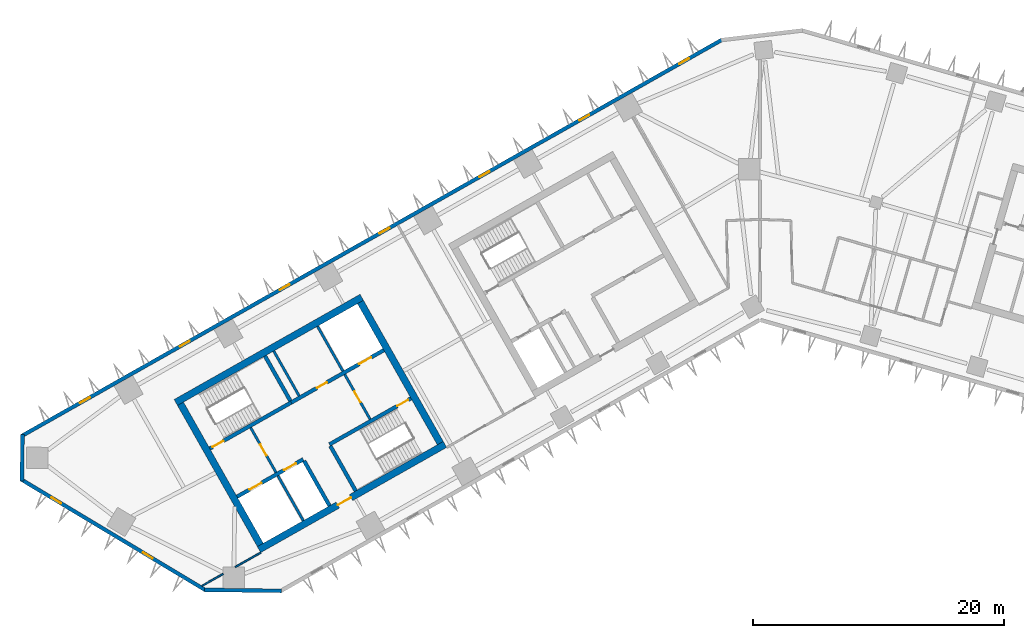
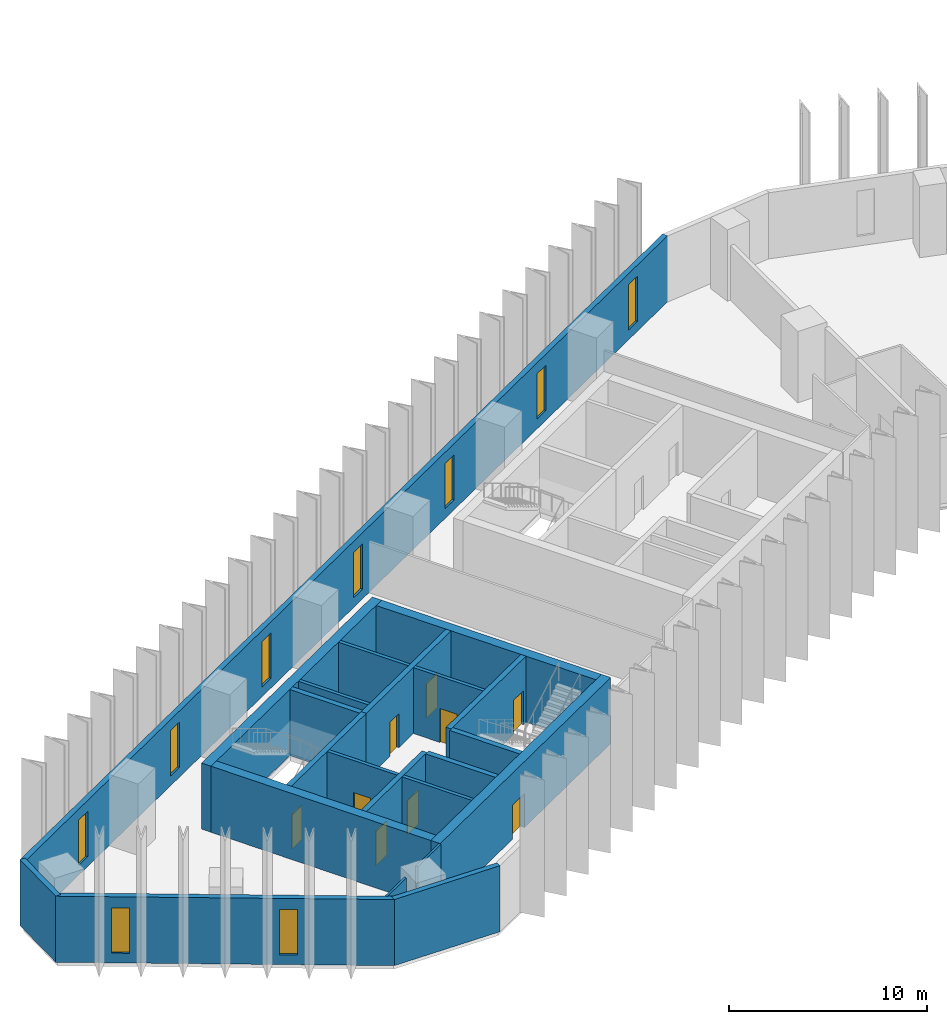
# One storey, part 3 of 11: 22 walls, 9 doors, 9 windows, 18 openings.
"""IFC4 building model written with IfcOpenShell, lengths in metres."""

from ifc_helpers import new_model, si_unit, direction, frame, frame_2d, origin, place, context, subcontext, project, spatial, rectangle, extrude, material, layer, layer_set, type_object, element, fill, save


model = new_model("IFC4")

# Units and contexts
model_context = context("Model", 3, precision=1e-05, world=origin(), true_north=direction((0.0, 1.0)))
body_context = subcontext(model_context, "Body", "Model", "MODEL_VIEW")
ifc_project = project(units=[si_unit("LENGTHUNIT", "METRE"), si_unit("AREAUNIT", "SQUARE_METRE"), si_unit("VOLUMEUNIT", "CUBIC_METRE"), si_unit("PLANEANGLEUNIT", "RADIAN"), si_unit("MASSUNIT", "GRAM", prefix="KILO")], contexts=[model_context])

# Site, building, storey
site_placement = place(None, origin())
site = spatial("IfcSite", under=ifc_project, at=site_placement, CompositionType="ELEMENT")
building_placement = place(site_placement, origin())
building = spatial("IfcBuilding", under=site, at=building_placement, Name="Binnacle Exchange Tower", CompositionType="ELEMENT")
storey_placement = place(building_placement, frame((0.0, 0.0, 97.10009765625)))
storey = spatial("IfcBuildingStorey", under=building, at=storey_placement, Name="L19", CompositionType="ELEMENT", Elevation=97.10009765625)

# Wall, openings, doors
ifc_material_1 = material(Name="Concrete C70/85", Category="concrete")
ifc_layer_1 = layer(ifc_material_1, 0.300048828125)
ifc_layer_set_1 = layer_set([ifc_layer_1], Name="Core wall - front 300")
wall_type_1 = type_object("IfcWallType", Name="Core wall - front 300", PredefinedType="SOLIDWALL", material=ifc_layer_set_1)
wall_1_placement = place(storey_placement, frame((-41.599609375, 33.936279296875, 0.0), z_axis=(0.0, 0.0, 1.0), x_axis=(0.870348557882, 0.492436176365, 0.0)))
wall_1 = element("IfcWall", 1, at=wall_1_placement, inside=storey, type_object=wall_type_1, Name="Core wall CRWA2", PredefinedType="SOLIDWALL", context=body_context, shape_type="SweptSolid", body=[
    extrude(rectangle(XDim=6.050048828125, YDim=0.300048828125, at=frame_2d((3.02490234375, 0.0))), origin(), (0.0, 0.0, 1.0), 4.079833984375),
])
opening_1_placement = place(wall_1_placement, frame((1.14990234375, 0.0, 0.0)))
opening_1 = element("IfcOpeningElement", 2, at=opening_1_placement, cuts=wall_1, Name="Opening LD12", PredefinedType="OPENING", context=body_context, shape_type="SweptSolid", body=[
    extrude(rectangle(XDim=1.10009765625, YDim=2.10009765625, at=frame_2d((0.550048828125, 1.050048828125))), frame((0.0, 0.159912109375, 0.0), z_axis=(0.0, -1.0, 0.0), x_axis=(1.0, 0.0, 0.0)), (0.0, 0.0, 1.0), 0.320068359375),
])
opening_2_placement = place(wall_1_placement, frame((4.300048828125, 0.0, 0.0)))
opening_2 = element("IfcOpeningElement", 3, at=opening_2_placement, cuts=wall_1, Name="Opening LD8", PredefinedType="OPENING", context=body_context, shape_type="SweptSolid", body=[
    extrude(rectangle(XDim=1.10009765625, YDim=2.10009765625, at=frame_2d((0.550048828125, 1.050048828125))), frame((0.0, 0.159912109375, 0.0), z_axis=(0.0, -1.0, 0.0), x_axis=(1.0, 0.0, 0.0)), (0.0, 0.0, 1.0), 0.320068359375),
])
ifc_material_2 = material(Name="Steel door leaf", Category="steel")
door_type_1 = type_object("IfcDoorType", Name="Fire door - lift landing 1100", OperationType="NOTDEFINED", PredefinedType="DOOR", material=ifc_material_2)
door_1_placement = place(opening_1_placement, origin())
door_1 = element("IfcDoor", 4, at=door_1_placement, inside=storey, type_object=door_type_1, Name="Landing door LD12 L19", OperationType="DOUBLE_DOOR_SLIDING", OverallHeight=2.10009765625, OverallWidth=1.10009765625, PredefinedType="DOOR", context=body_context, shape_type="SweptSolid", body=[
    extrude(rectangle(XDim=1.10009765625, YDim=2.10009765625, at=frame_2d((0.550048828125, 1.050048828125))), frame((0.0, 0.02490234375, 0.0), z_axis=(0.0, -1.0, 0.0), x_axis=(1.0, 0.0, 0.0)), (0.0, 0.0, 1.0), 0.050048828125),
])
fill(opening_1, door_1)
door_2_placement = place(opening_2_placement, origin())
door_2 = element("IfcDoor", 5, at=door_2_placement, inside=storey, type_object=door_type_1, Name="Landing door LD8 L19", OperationType="DOUBLE_DOOR_SLIDING", OverallHeight=2.10009765625, OverallWidth=1.10009765625, PredefinedType="DOOR", context=body_context, shape_type="SweptSolid", body=[
    extrude(rectangle(XDim=1.10009765625, YDim=2.10009765625, at=frame_2d((0.550048828125, 1.050048828125))), frame((0.0, 0.02490234375, 0.0), z_axis=(0.0, -1.0, 0.0), x_axis=(1.0, 0.0, 0.0)), (0.0, 0.0, 1.0), 0.050048828125),
])
fill(opening_2, door_2)

wall_2_placement = place(storey_placement, frame((-37.281982421875, 41.4345703125, 0.0), z_axis=(0.0, 0.0, 1.0), x_axis=(0.870359895813, 0.492416136779, 0.0)))
wall_2 = element("IfcWall", 6, at=wall_2_placement, inside=storey, type_object=wall_type_1, Name="Core wall CRWA5", PredefinedType="SOLIDWALL", context=body_context, shape_type="SweptSolid", body=[
    extrude(rectangle(XDim=8.449951171875, YDim=0.300048828125, at=frame_2d((4.22509765625, 0.0))), origin(), (0.0, 0.0, 1.0), 4.079833984375),
])
opening_3_placement = place(wall_2_placement, frame((6.199951171875, 0.0, 0.0)))
opening_3 = element("IfcOpeningElement", 7, at=opening_3_placement, cuts=wall_2, Name="Opening LD13", PredefinedType="OPENING", context=body_context, shape_type="SweptSolid", body=[
    extrude(rectangle(XDim=1.10009765625, YDim=2.10009765625, at=frame_2d((0.550048828125, 1.050048828125))), frame((0.0, 0.159912109375, 0.0), z_axis=(0.0, -1.0, 0.0), x_axis=(1.0, 0.0, 0.0)), (0.0, 0.0, 1.0), 0.320068359375),
])
opening_4_placement = place(wall_2_placement, frame((2.35009765625, 0.0, 0.0)))
opening_4 = element("IfcOpeningElement", 8, at=opening_4_placement, cuts=wall_2, Name="Opening DA10", PredefinedType="OPENING", context=body_context, shape_type="SweptSolid", body=[
    extrude(rectangle(XDim=0.89990234375, YDim=2.10009765625, at=frame_2d((0.449951171875, 1.050048828125))), frame((0.0, 0.159912109375, 0.0), z_axis=(0.0, -1.0, 0.0), x_axis=(1.0, 0.0, 0.0)), (0.0, 0.0, 1.0), 0.320068359375),
])
door_3_placement = place(opening_3_placement, origin())
door_3 = element("IfcDoor", 9, at=door_3_placement, inside=storey, type_object=door_type_1, Name="Landing door LD13 L19", OperationType="DOUBLE_DOOR_SLIDING", OverallHeight=2.10009765625, OverallWidth=1.10009765625, PredefinedType="DOOR", context=body_context, shape_type="SweptSolid", body=[
    extrude(rectangle(XDim=1.10009765625, YDim=2.10009765625, at=frame_2d((0.550048828125, 1.050048828125))), frame((0.0, 0.02490234375, 0.0), z_axis=(0.0, -1.0, 0.0), x_axis=(1.0, 0.0, 0.0)), (0.0, 0.0, 1.0), 0.050048828125),
])
fill(opening_3, door_3)
door_type_2 = type_object("IfcDoorType", Name="Fire door 900", OperationType="NOTDEFINED", PredefinedType="DOOR", material=ifc_material_2)
door_4_placement = place(opening_4_placement, origin())
door_4 = element("IfcDoor", 10, at=door_4_placement, inside=storey, type_object=door_type_2, Name="Core room door PANTRY", OperationType="SINGLE_SWING_LEFT", OverallHeight=2.10009765625, OverallWidth=0.89990234375, PredefinedType="DOOR", context=body_context, shape_type="SweptSolid", body=[
    extrude(rectangle(XDim=0.89990234375, YDim=2.10009765625, at=frame_2d((0.449951171875, 1.050048828125))), frame((0.0, 0.02490234375, 0.0), z_axis=(0.0, -1.0, 0.0), x_axis=(1.0, 0.0, 0.0)), (0.0, 0.0, 1.0), 0.050048828125),
])
fill(opening_4, door_4)

# Wall
wall_3_placement = place(storey_placement, frame((-36.260009765625, 36.784912109375, 0.0), z_axis=(0.0, 0.0, 1.0), x_axis=(0.492408451753, -0.87036424366, 0.0)))
element("IfcWall", 11, at=wall_3_placement, inside=storey, type_object=wall_type_1, Name="Core wall CRWA13", PredefinedType="SOLIDWALL", context=body_context, shape_type="SweptSolid", body=[
    extrude(rectangle(XDim=4.099853515625, YDim=0.300048828125, at=frame_2d((2.0498046875, 0.0))), origin(), (0.0, 0.0, 1.0), 4.079833984375),
])

# Wall, opening, door
ifc_layer_2 = layer(ifc_material_1, 0.550048828125)
ifc_layer_set_2 = layer_set([ifc_layer_2], Name="Core wall - outer 550")
wall_type_2 = type_object("IfcWallType", Name="Core wall - outer 550", PredefinedType="SOLIDWALL", material=ifc_layer_set_2)
wall_4_placement = place(storey_placement, frame((-39.85009765625, 29.727294921875, 0.0), z_axis=(0.0, 0.0, 1.0), x_axis=(0.870359753402, 0.492416388494, 0.0)))
wall_4 = element("IfcWall", 12, at=wall_4_placement, inside=storey, type_object=wall_type_2, Name="Core wall CRWA1", PredefinedType="SOLIDWALL", context=body_context, shape_type="SweptSolid", body=[
    extrude(rectangle(XDim=17.0, YDim=0.550048828125, at=frame_2d((8.5, 0.0))), origin(), (0.0, 0.0, 1.0), 4.079833984375),
])
opening_5_placement = place(wall_4_placement, frame((7.199951171875, 0.0, 0.0)))
opening_5 = element("IfcOpeningElement", 13, at=opening_5_placement, cuts=wall_4, Name="Opening DA7", PredefinedType="OPENING", context=body_context, shape_type="SweptSolid", body=[
    extrude(rectangle(XDim=1.199951171875, YDim=2.10009765625, at=frame_2d((0.60009765625, 1.050048828125))), frame((0.0, 0.284912109375, 0.0), z_axis=(0.0, -1.0, 0.0), x_axis=(1.0, 0.0, 0.0)), (0.0, 0.0, 1.0), 0.570068359375),
])
door_type_3 = type_object("IfcDoorType", Name="Fire door 1200", OperationType="NOTDEFINED", PredefinedType="DOOR", material=ifc_material_2)
door_5_placement = place(opening_5_placement, frame((1.199951171875, 0.0, 0.0), z_axis=(0.0, 0.0, 1.0), x_axis=(-1.0, 0.0, 0.0)))
door_5 = element("IfcDoor", 14, at=door_5_placement, inside=storey, type_object=door_type_3, Name="Lift lobby entrance door core A", OperationType="SINGLE_SWING_RIGHT", OverallHeight=2.10009765625, OverallWidth=1.199951171875, PredefinedType="DOOR", context=body_context, shape_type="SweptSolid", body=[
    extrude(rectangle(XDim=1.199951171875, YDim=2.10009765625, at=frame_2d((0.60009765625, 1.050048828125))), frame((0.0, 0.02490234375, 0.0), z_axis=(0.0, -1.0, 0.0), x_axis=(1.0, 0.0, 0.0)), (0.0, 0.0, 1.0), 0.050048828125),
])
fill(opening_5, door_5)

# Walls
wall_5_placement = place(storey_placement, frame((-46.47314453125, 41.43359375, 0.0), z_axis=(0.0, 0.0, 1.0), x_axis=(0.870359753402, 0.492416388494, 0.0)))
element("IfcWall", 15, at=wall_5_placement, inside=storey, type_object=wall_type_2, Name="Core wall CRWA6", PredefinedType="SOLIDWALL", context=body_context, shape_type="SweptSolid", body=[
    extrude(rectangle(XDim=17.0, YDim=0.550048828125, at=frame_2d((8.5, 0.0))), origin(), (0.0, 0.0, 1.0), 4.079833984375),
])
wall_6_placement = place(storey_placement, frame((-46.098388671875, 41.32958984375, 0.0), z_axis=(0.0, 0.0, 1.0), x_axis=(0.492418910884, -0.870358326325, 0.0)))
element("IfcWall", 16, at=wall_6_placement, inside=storey, type_object=wall_type_2, Name="Core wall CRWA7", PredefinedType="SOLIDWALL", context=body_context, shape_type="SweptSolid", body=[
    extrude(rectangle(XDim=12.900146484375, YDim=0.550048828125, at=frame_2d((6.4501953125, 0.0))), origin(), (0.0, 0.0, 1.0), 4.079833984375),
])
wall_7_placement = place(storey_placement, frame((-31.781005859375, 49.429931640625, 0.0), z_axis=(0.0, 0.0, 1.0), x_axis=(0.492427022044, -0.870353737259, 0.0)))
element("IfcWall", 17, at=wall_7_placement, inside=storey, type_object=wall_type_2, Name="Core wall CRWA22", PredefinedType="SOLIDWALL", context=body_context, shape_type="SweptSolid", body=[
    extrude(rectangle(XDim=12.89990234375, YDim=0.550048828125, at=frame_2d((6.449951171875, 0.0))), origin(), (0.0, 0.0, 1.0), 4.079833984375),
])

# Wall, opening, door
ifc_layer_3 = layer(ifc_material_1, 0.300048828125)
ifc_layer_set_3 = layer_set([ifc_layer_3], Name="Core wall - stair 300")
wall_type_3 = type_object("IfcWallType", Name="Core wall - stair 300", PredefinedType="SOLIDWALL", material=ifc_layer_set_3)
wall_8_placement = place(storey_placement, frame((-34.2451171875, 38.097412109375, 0.0), z_axis=(0.0, 0.0, 1.0), x_axis=(0.870360741098, 0.49241464271, 0.0)))
wall_8 = element("IfcWall", 18, at=wall_8_placement, inside=storey, type_object=wall_type_3, Name="Core wall CRWA3", PredefinedType="SOLIDWALL", context=body_context, shape_type="SweptSolid", body=[
    extrude(rectangle(XDim=7.449951171875, YDim=0.300048828125, at=frame_2d((3.72509765625, 0.0))), origin(), (0.0, 0.0, 1.0), 4.079833984375),
])
opening_6_placement = place(wall_8_placement, frame((6.199951171875, 0.0, 0.0)))
opening_6 = element("IfcOpeningElement", 19, at=opening_6_placement, cuts=wall_8, Name="Opening DA2", PredefinedType="OPENING", context=body_context, shape_type="SweptSolid", body=[
    extrude(rectangle(XDim=1.0, YDim=2.10009765625, at=frame_2d((0.5, 1.050048828125))), frame((0.0, 0.159912109375, 0.0), z_axis=(0.0, -1.0, 0.0), x_axis=(1.0, 0.0, 0.0)), (0.0, 0.0, 1.0), 0.320068359375),
])
door_type_4 = type_object("IfcDoorType", Name="Fire door 1000", OperationType="NOTDEFINED", PredefinedType="DOOR", material=ifc_material_2)
door_6_placement = place(opening_6_placement, frame((1.0, 0.0, 0.0), z_axis=(0.0, 0.0, 1.0), x_axis=(-1.0, 0.0, 0.0)))
door_6 = element("IfcDoor", 20, at=door_6_placement, inside=storey, type_object=door_type_4, Name="Stair door ST-A2", OperationType="SINGLE_SWING_LEFT", OverallHeight=2.10009765625, OverallWidth=1.0, PredefinedType="DOOR", context=body_context, shape_type="SweptSolid", body=[
    extrude(rectangle(XDim=1.0, YDim=2.10009765625, at=frame_2d((0.5, 1.050048828125))), frame((0.0, 0.02490234375, 0.0), z_axis=(0.0, -1.0, 0.0), x_axis=(1.0, 0.0, 0.0)), (0.0, 0.0, 1.0), 0.050048828125),
])
fill(opening_6, door_6)

wall_9_placement = place(storey_placement, frame((-43.76611328125, 37.765869140625, 0.0), z_axis=(0.0, 0.0, 1.0), x_axis=(0.870346696097, 0.492439466932, 0.0)))
wall_9 = element("IfcWall", 21, at=wall_9_placement, inside=storey, type_object=wall_type_3, Name="Core wall CRWA4", PredefinedType="SOLIDWALL", context=body_context, shape_type="SweptSolid", body=[
    extrude(rectangle(XDim=7.449951171875, YDim=0.300048828125, at=frame_2d((3.72509765625, 0.0))), origin(), (0.0, 0.0, 1.0), 4.079833984375),
])
opening_7_placement = place(wall_9_placement, frame((0.25, 0.0, 0.0)))
opening_7 = element("IfcOpeningElement", 22, at=opening_7_placement, cuts=wall_9, Name="Opening DA1", PredefinedType="OPENING", context=body_context, shape_type="SweptSolid", body=[
    extrude(rectangle(XDim=1.0, YDim=2.10009765625, at=frame_2d((0.5, 1.050048828125))), frame((0.0, 0.159912109375, 0.0), z_axis=(0.0, -1.0, 0.0), x_axis=(1.0, 0.0, 0.0)), (0.0, 0.0, 1.0), 0.320068359375),
])
door_7_placement = place(opening_7_placement, origin())
door_7 = element("IfcDoor", 23, at=door_7_placement, inside=storey, type_object=door_type_4, Name="Stair door ST-A1", OperationType="SINGLE_SWING_LEFT", OverallHeight=2.10009765625, OverallWidth=1.0, PredefinedType="DOOR", context=body_context, shape_type="SweptSolid", body=[
    extrude(rectangle(XDim=1.0, YDim=2.10009765625, at=frame_2d((0.5, 1.050048828125))), frame((0.0, 0.02490234375, 0.0), z_axis=(0.0, -1.0, 0.0), x_axis=(1.0, 0.0, 0.0)), (0.0, 0.0, 1.0), 0.050048828125),
])
fill(opening_7, door_7)

# Walls
for number, where, z_axis, x_axis, name in (
    (24, (-39.375, 45.133544921875, 0.0), (0.0, 0.0, 1.0), (0.492428039142, -0.870353161807, 0.0), "Core wall CRWA14"),
    (25, (-34.171142578125, 37.966796875, 0.0), (0.0, 0.0, 1.0), (0.492382931784, -0.870378681085, 0.0), "Core wall CRWA16"),
):
    element("IfcWall", number, at=place(storey_placement, frame(where, z_axis=z_axis, x_axis=x_axis)), inside=storey, type_object=wall_type_3, Name=name, PredefinedType="SOLIDWALL", context=body_context, shape_type="SweptSolid", body=[
        extrude(rectangle(XDim=4.10009765625, YDim=0.300048828125, at=frame_2d((2.050048828125, 0.0))), origin(), (0.0, 0.0, 1.0), 4.079833984375),
    ])

# Wall, openings, windows
ifc_material_3 = material(Name="Bronze aluminium cladding", Category="aluminium")
ifc_layer_4 = layer(ifc_material_3, 0.300048828125)
ifc_layer_set_4 = layer_set([ifc_layer_4], Name="External wall - spandrel 300")
wall_type_4 = type_object("IfcWallType", Name="External wall - spandrel 300", PredefinedType="STANDARD", material=ifc_layer_set_4)
wall_10_placement = place(storey_placement, frame((-58.744873046875, 38.763671875, 0.0), z_axis=(0.0, 0.0, 1.0), x_axis=(0.870355811726, 0.492423355453, 0.0)))
wall_10 = element("IfcWall", 26, at=wall_10_placement, inside=storey, type_object=wall_type_4, Name="External wall EW-F03 L19", PredefinedType="STANDARD", context=body_context, shape_type="SweptSolid", body=[
    extrude(rectangle(XDim=64.025390625, YDim=0.300048828125, at=frame_2d((32.0126953125, 0.0))), origin(), (0.0, 0.0, 1.0), 4.079833984375),
])
opening_8_placement = place(wall_10_placement, frame((60.12158203125, 0.0, 0.60009765625)))
opening_8 = element("IfcOpeningElement", 27, at=opening_8_placement, cuts=wall_10, Name="Opening WS2", PredefinedType="OPENING", context=body_context, shape_type="SweptSolid", body=[
    extrude(rectangle(XDim=0.89990234375, YDim=2.800048828125, at=frame_2d((0.449951171875, 1.39990234375))), frame((0.0, 0.159912109375, 0.0), z_axis=(0.0, -1.0, 0.0), x_axis=(1.0, 0.0, 0.0)), (0.0, 0.0, 1.0), 0.320068359375),
])
opening_9_placement = place(wall_10_placement, frame((50.99169921875, 0.0, 0.60009765625)))
opening_9 = element("IfcOpeningElement", 28, at=opening_9_placement, cuts=wall_10, Name="Opening WS2", PredefinedType="OPENING", context=body_context, shape_type="SweptSolid", body=[
    extrude(rectangle(XDim=0.89990234375, YDim=2.800048828125, at=frame_2d((0.449951171875, 1.39990234375))), frame((0.0, 0.159912109375, 0.0), z_axis=(0.0, -1.0, 0.0), x_axis=(1.0, 0.0, 0.0)), (0.0, 0.0, 1.0), 0.320068359375),
])
opening_10_placement = place(wall_10_placement, frame((41.86181640625, 0.0, 0.60009765625)))
opening_10 = element("IfcOpeningElement", 29, at=opening_10_placement, cuts=wall_10, Name="Opening WS2", PredefinedType="OPENING", context=body_context, shape_type="SweptSolid", body=[
    extrude(rectangle(XDim=0.89990234375, YDim=2.800048828125, at=frame_2d((0.449951171875, 1.39990234375))), frame((0.0, 0.159912109375, 0.0), z_axis=(0.0, -1.0, 0.0), x_axis=(1.0, 0.0, 0.0)), (0.0, 0.0, 1.0), 0.320068359375),
])
opening_11_placement = place(wall_10_placement, frame((32.73193359375, 0.0, 0.60009765625)))
opening_11 = element("IfcOpeningElement", 30, at=opening_11_placement, cuts=wall_10, Name="Opening WS2", PredefinedType="OPENING", context=body_context, shape_type="SweptSolid", body=[
    extrude(rectangle(XDim=0.89990234375, YDim=2.800048828125, at=frame_2d((0.449951171875, 1.39990234375))), frame((0.0, 0.159912109375, 0.0), z_axis=(0.0, -1.0, 0.0), x_axis=(1.0, 0.0, 0.0)), (0.0, 0.0, 1.0), 0.320068359375),
])
opening_12_placement = place(wall_10_placement, frame((23.60205078125, 0.0, 0.60009765625)))
opening_12 = element("IfcOpeningElement", 31, at=opening_12_placement, cuts=wall_10, Name="Opening WS2", PredefinedType="OPENING", context=body_context, shape_type="SweptSolid", body=[
    extrude(rectangle(XDim=0.89990234375, YDim=2.800048828125, at=frame_2d((0.449951171875, 1.39990234375))), frame((0.0, 0.159912109375, 0.0), z_axis=(0.0, -1.0, 0.0), x_axis=(1.0, 0.0, 0.0)), (0.0, 0.0, 1.0), 0.320068359375),
])
opening_13_placement = place(wall_10_placement, frame((14.47216796875, 0.0, 0.60009765625)))
opening_13 = element("IfcOpeningElement", 32, at=opening_13_placement, cuts=wall_10, Name="Opening WS2", PredefinedType="OPENING", context=body_context, shape_type="SweptSolid", body=[
    extrude(rectangle(XDim=0.89990234375, YDim=2.800048828125, at=frame_2d((0.449951171875, 1.39990234375))), frame((0.0, 0.159912109375, 0.0), z_axis=(0.0, -1.0, 0.0), x_axis=(1.0, 0.0, 0.0)), (0.0, 0.0, 1.0), 0.320068359375),
])
opening_14_placement = place(wall_10_placement, frame((5.34228515625, 0.0, 0.60009765625)))
opening_14 = element("IfcOpeningElement", 33, at=opening_14_placement, cuts=wall_10, Name="Opening WS2", PredefinedType="OPENING", context=body_context, shape_type="SweptSolid", body=[
    extrude(rectangle(XDim=0.89990234375, YDim=2.800048828125, at=frame_2d((0.449951171875, 1.39990234375))), frame((0.0, 0.159912109375, 0.0), z_axis=(0.0, -1.0, 0.0), x_axis=(1.0, 0.0, 0.0)), (0.0, 0.0, 1.0), 0.320068359375),
])
ifc_material_4 = material(Name="Bronze anodised aluminium frame", Category="aluminium")
window_type = type_object("IfcWindowType", Name="WS2 WINDOW 900x2800", PartitioningType="SINGLE_PANEL", PredefinedType="WINDOW", material=ifc_material_4)
window_1_placement = place(opening_8_placement, origin())
window_1 = element("IfcWindow", 34, at=window_1_placement, inside=storey, type_object=window_type, Name="Window WS2 L19", OverallHeight=2.800048828125, OverallWidth=0.89990234375, PartitioningType="SINGLE_PANEL", PredefinedType="WINDOW", context=body_context, shape_type="SweptSolid", body=[
    extrude(rectangle(XDim=0.89990234375, YDim=2.800048828125, at=frame_2d((0.449951171875, 1.39990234375))), frame((0.0, 0.030029296875, 0.0), z_axis=(0.0, -1.0, 0.0), x_axis=(1.0, 0.0, 0.0)), (0.0, 0.0, 1.0), 0.06005859375),
])
fill(opening_8, window_1)
window_2_placement = place(opening_9_placement, origin())
window_2 = element("IfcWindow", 35, at=window_2_placement, inside=storey, type_object=window_type, Name="Window WS2 L19", OverallHeight=2.800048828125, OverallWidth=0.89990234375, PartitioningType="SINGLE_PANEL", PredefinedType="WINDOW", context=body_context, shape_type="SweptSolid", body=[
    extrude(rectangle(XDim=0.89990234375, YDim=2.800048828125, at=frame_2d((0.449951171875, 1.39990234375))), frame((0.0, 0.030029296875, 0.0), z_axis=(0.0, -1.0, 0.0), x_axis=(1.0, 0.0, 0.0)), (0.0, 0.0, 1.0), 0.06005859375),
])
fill(opening_9, window_2)
window_3_placement = place(opening_10_placement, origin())
window_3 = element("IfcWindow", 36, at=window_3_placement, inside=storey, type_object=window_type, Name="Window WS2 L19", OverallHeight=2.800048828125, OverallWidth=0.89990234375, PartitioningType="SINGLE_PANEL", PredefinedType="WINDOW", context=body_context, shape_type="SweptSolid", body=[
    extrude(rectangle(XDim=0.89990234375, YDim=2.800048828125, at=frame_2d((0.449951171875, 1.39990234375))), frame((0.0, 0.030029296875, 0.0), z_axis=(0.0, -1.0, 0.0), x_axis=(1.0, 0.0, 0.0)), (0.0, 0.0, 1.0), 0.06005859375),
])
fill(opening_10, window_3)
window_4_placement = place(opening_11_placement, origin())
window_4 = element("IfcWindow", 37, at=window_4_placement, inside=storey, type_object=window_type, Name="Window WS2 L19", OverallHeight=2.800048828125, OverallWidth=0.89990234375, PartitioningType="SINGLE_PANEL", PredefinedType="WINDOW", context=body_context, shape_type="SweptSolid", body=[
    extrude(rectangle(XDim=0.89990234375, YDim=2.800048828125, at=frame_2d((0.449951171875, 1.39990234375))), frame((0.0, 0.030029296875, 0.0), z_axis=(0.0, -1.0, 0.0), x_axis=(1.0, 0.0, 0.0)), (0.0, 0.0, 1.0), 0.06005859375),
])
fill(opening_11, window_4)
window_5_placement = place(opening_12_placement, origin())
window_5 = element("IfcWindow", 38, at=window_5_placement, inside=storey, type_object=window_type, Name="Window WS2 L19", OverallHeight=2.800048828125, OverallWidth=0.89990234375, PartitioningType="SINGLE_PANEL", PredefinedType="WINDOW", context=body_context, shape_type="SweptSolid", body=[
    extrude(rectangle(XDim=0.89990234375, YDim=2.800048828125, at=frame_2d((0.449951171875, 1.39990234375))), frame((0.0, 0.030029296875, 0.0), z_axis=(0.0, -1.0, 0.0), x_axis=(1.0, 0.0, 0.0)), (0.0, 0.0, 1.0), 0.06005859375),
])
fill(opening_12, window_5)
window_6_placement = place(opening_13_placement, origin())
window_6 = element("IfcWindow", 39, at=window_6_placement, inside=storey, type_object=window_type, Name="Window WS2 L19", OverallHeight=2.800048828125, OverallWidth=0.89990234375, PartitioningType="SINGLE_PANEL", PredefinedType="WINDOW", context=body_context, shape_type="SweptSolid", body=[
    extrude(rectangle(XDim=0.89990234375, YDim=2.800048828125, at=frame_2d((0.449951171875, 1.39990234375))), frame((0.0, 0.030029296875, 0.0), z_axis=(0.0, -1.0, 0.0), x_axis=(1.0, 0.0, 0.0)), (0.0, 0.0, 1.0), 0.06005859375),
])
fill(opening_13, window_6)
window_7_placement = place(opening_14_placement, origin())
window_7 = element("IfcWindow", 40, at=window_7_placement, inside=storey, type_object=window_type, Name="Window WS2 L19", OverallHeight=2.800048828125, OverallWidth=0.89990234375, PartitioningType="SINGLE_PANEL", PredefinedType="WINDOW", context=body_context, shape_type="SweptSolid", body=[
    extrude(rectangle(XDim=0.89990234375, YDim=2.800048828125, at=frame_2d((0.449951171875, 1.39990234375))), frame((0.0, 0.030029296875, 0.0), z_axis=(0.0, -1.0, 0.0), x_axis=(1.0, 0.0, 0.0)), (0.0, 0.0, 1.0), 0.06005859375),
])
fill(opening_14, window_7)

# Wall
wall_11_placement = place(storey_placement, frame((-58.717041015625, 35.19384765625, 0.0), z_axis=(0.0, 0.0, 1.0), x_axis=(0.013069053407, 0.999914596275, 0.0)))
element("IfcWall", 41, at=wall_11_placement, inside=storey, type_object=wall_type_4, Name="External wall EW-F04 L19", PredefinedType="STANDARD", context=body_context, shape_type="SweptSolid", body=[
    extrude(rectangle(XDim=3.69873046875, YDim=0.300048828125, at=frame_2d((1.849365234375, 0.0))), origin(), (0.0, 0.0, 1.0), 4.079833984375),
])

# Wall, openings, windows
wall_12_placement = place(storey_placement, frame((-44.109375, 26.503662109375, 0.0), z_axis=(0.0, 0.0, 1.0), x_axis=(-0.857169502585, 0.515034410344, 0.0)))
wall_12 = element("IfcWall", 42, at=wall_12_placement, inside=storey, type_object=wall_type_4, Name="External wall EW-F05 L19", PredefinedType="STANDARD", context=body_context, shape_type="SweptSolid", body=[
    extrude(rectangle(XDim=17.126708984375, YDim=0.300048828125, at=frame_2d((8.5634765625, 0.0))), origin(), (0.0, 0.0, 1.0), 4.079833984375),
])
opening_15_placement = place(wall_12_placement, frame((13.403076171875, 0.0, 0.60009765625)))
opening_15 = element("IfcOpeningElement", 43, at=opening_15_placement, cuts=wall_12, Name="Opening WS2", PredefinedType="OPENING", context=body_context, shape_type="SweptSolid", body=[
    extrude(rectangle(XDim=0.89990234375, YDim=2.800048828125, at=frame_2d((0.449951171875, 1.39990234375))), frame((0.0, 0.159912109375, 0.0), z_axis=(0.0, -1.0, 0.0), x_axis=(1.0, 0.0, 0.0)), (0.0, 0.0, 1.0), 0.320068359375),
])
opening_16_placement = place(wall_12_placement, frame((4.903076171875, 0.0, 0.60009765625)))
opening_16 = element("IfcOpeningElement", 44, at=opening_16_placement, cuts=wall_12, Name="Opening WS2", PredefinedType="OPENING", context=body_context, shape_type="SweptSolid", body=[
    extrude(rectangle(XDim=0.89990234375, YDim=2.800048828125, at=frame_2d((0.449951171875, 1.39990234375))), frame((0.0, 0.159912109375, 0.0), z_axis=(0.0, -1.0, 0.0), x_axis=(1.0, 0.0, 0.0)), (0.0, 0.0, 1.0), 0.320068359375),
])
window_8_placement = place(opening_15_placement, origin())
window_8 = element("IfcWindow", 45, at=window_8_placement, inside=storey, type_object=window_type, Name="Window WS2 L19", OverallHeight=2.800048828125, OverallWidth=0.89990234375, PartitioningType="SINGLE_PANEL", PredefinedType="WINDOW", context=body_context, shape_type="SweptSolid", body=[
    extrude(rectangle(XDim=0.89990234375, YDim=2.800048828125, at=frame_2d((0.449951171875, 1.39990234375))), frame((0.0, 0.030029296875, 0.0), z_axis=(0.0, -1.0, 0.0), x_axis=(1.0, 0.0, 0.0)), (0.0, 0.0, 1.0), 0.06005859375),
])
fill(opening_15, window_8)
window_9_placement = place(opening_16_placement, origin())
window_9 = element("IfcWindow", 46, at=window_9_placement, inside=storey, type_object=window_type, Name="Window WS2 L19", OverallHeight=2.800048828125, OverallWidth=0.89990234375, PartitioningType="SINGLE_PANEL", PredefinedType="WINDOW", context=body_context, shape_type="SweptSolid", body=[
    extrude(rectangle(XDim=0.89990234375, YDim=2.800048828125, at=frame_2d((0.449951171875, 1.39990234375))), frame((0.0, 0.030029296875, 0.0), z_axis=(0.0, -1.0, 0.0), x_axis=(1.0, 0.0, 0.0)), (0.0, 0.0, 1.0), 0.06005859375),
])
fill(opening_16, window_9)

# Wall
wall_13_placement = place(storey_placement, frame((-38.057373046875, 26.44482421875, 0.0), z_axis=(0.0, 0.0, 1.0), x_axis=(-0.999914086342, 0.013108010296, 0.0)))
element("IfcWall", 47, at=wall_13_placement, inside=storey, type_object=wall_type_4, Name="External wall EW-F06 L19", PredefinedType="STANDARD", context=body_context, shape_type="SweptSolid", body=[
    extrude(rectangle(XDim=6.127685546875, YDim=0.300048828125, at=frame_2d((3.06396484375, 0.0))), origin(), (0.0, 0.0, 1.0), 4.079833984375),
])

# Wall, opening, door
ifc_material_5 = material(Name="Masonry block wall", Category="masonry")
ifc_layer_5 = layer(ifc_material_5, 0.199951171875)
ifc_layer_set_5 = layer_set([ifc_layer_5], Name="Fire wall - vestibule 200")
wall_type_5 = type_object("IfcWallType", Name="Fire wall - vestibule 200", PredefinedType="PARTITIONING", material=ifc_layer_set_5)
wall_14_placement = place(storey_placement, frame((-40.515625, 39.4326171875, 0.0), z_axis=(0.0, 0.0, 1.0), x_axis=(0.492453559952, -0.87033872216, 0.0)))
wall_14 = element("IfcWall", 48, at=wall_14_placement, inside=storey, type_object=wall_type_5, Name="Core wall CRWA10", PredefinedType="PARTITIONING", context=body_context, shape_type="SweptSolid", body=[
    extrude(rectangle(XDim=4.099853515625, YDim=0.199951171875, at=frame_2d((2.0498046875, 0.0))), origin(), (0.0, 0.0, 1.0), 4.079833984375),
])
opening_17_placement = place(wall_14_placement, frame((1.550048828125, 0.0, 0.0)))
opening_17 = element("IfcOpeningElement", 49, at=opening_17_placement, cuts=wall_14, Name="Opening DA3", PredefinedType="OPENING", context=body_context, shape_type="SweptSolid", body=[
    extrude(rectangle(XDim=1.0, YDim=2.10009765625, at=frame_2d((0.5, 1.050048828125))), frame((0.0, 0.10986328125, 0.0), z_axis=(0.0, -1.0, 0.0), x_axis=(1.0, 0.0, 0.0)), (0.0, 0.0, 1.0), 0.219970703125),
])
door_8_placement = place(opening_17_placement, frame((1.0, 0.0, 0.0), z_axis=(0.0, 0.0, 1.0), x_axis=(-1.0, 0.0, 0.0)))
door_8 = element("IfcDoor", 50, at=door_8_placement, inside=storey, type_object=door_type_4, Name="Vestibule door VEST-W", OperationType="SINGLE_SWING_LEFT", OverallHeight=2.10009765625, OverallWidth=1.0, PredefinedType="DOOR", context=body_context, shape_type="SweptSolid", body=[
    extrude(rectangle(XDim=1.0, YDim=2.10009765625, at=frame_2d((0.5, 1.050048828125))), frame((0.0, 0.02490234375, 0.0), z_axis=(0.0, -1.0, 0.0), x_axis=(1.0, 0.0, 0.0)), (0.0, 0.0, 1.0), 0.050048828125),
])
fill(opening_17, door_8)

wall_15_placement = place(storey_placement, frame((-33.030517578125, 43.66748046875, 0.0), z_axis=(0.0, 0.0, 1.0), x_axis=(0.492408451753, -0.87036424366, 0.0)))
wall_15 = element("IfcWall", 51, at=wall_15_placement, inside=storey, type_object=wall_type_5, Name="Core wall CRWA19", PredefinedType="PARTITIONING", context=body_context, shape_type="SweptSolid", body=[
    extrude(rectangle(XDim=4.099853515625, YDim=0.199951171875, at=frame_2d((2.0498046875, 0.0))), origin(), (0.0, 0.0, 1.0), 4.079833984375),
])
opening_18_placement = place(wall_15_placement, frame((1.550048828125, 0.0, 0.0)))
opening_18 = element("IfcOpeningElement", 52, at=opening_18_placement, cuts=wall_15, Name="Opening DA4", PredefinedType="OPENING", context=body_context, shape_type="SweptSolid", body=[
    extrude(rectangle(XDim=1.0, YDim=2.10009765625, at=frame_2d((0.5, 1.050048828125))), frame((0.0, 0.10986328125, 0.0), z_axis=(0.0, -1.0, 0.0), x_axis=(1.0, 0.0, 0.0)), (0.0, 0.0, 1.0), 0.219970703125),
])
door_9_placement = place(opening_18_placement, origin())
door_9 = element("IfcDoor", 53, at=door_9_placement, inside=storey, type_object=door_type_4, Name="Vestibule door VEST-E", OperationType="SINGLE_SWING_RIGHT", OverallHeight=2.10009765625, OverallWidth=1.0, PredefinedType="DOOR", context=body_context, shape_type="SweptSolid", body=[
    extrude(rectangle(XDim=1.0, YDim=2.10009765625, at=frame_2d((0.5, 1.050048828125))), frame((0.0, 0.02490234375, 0.0), z_axis=(0.0, -1.0, 0.0), x_axis=(1.0, 0.0, 0.0)), (0.0, 0.0, 1.0), 0.050048828125),
])
fill(opening_18, door_9)

# Walls
ifc_material_6 = material(Name="Gypsum partition")
ifc_layer_6 = layer(ifc_material_6, 0.125)
ifc_layer_set_6 = layer_set([ifc_layer_6], Name="Partition 125")
wall_type_6 = type_object("IfcWallType", Name="Partition 125", PredefinedType="PARTITIONING", material=ifc_layer_set_6)
wall_16_placement = place(storey_placement, frame((-44.385986328125, 26.844970703125, 0.0), z_axis=(0.0, 0.0, 1.0), x_axis=(0.870226201187, 0.492652371118, 0.0)))
element("IfcWall", 54, at=wall_16_placement, inside=storey, type_object=wall_type_6, Name="Partition W01", PredefinedType="PARTITIONING", context=body_context, shape_type="SweptSolid", body=[
    extrude(rectangle(XDim=1.9326171875, YDim=0.125, at=frame_2d((0.96630859375, 0.0))), origin(), (0.0, 0.0, 1.0), 4.079833984375),
])
wall_17_placement = place(storey_placement, frame((-41.738037109375, 28.343017578125, 0.0), z_axis=(0.0, 0.0, 1.0), x_axis=(0.870265350095, 0.492583211676, 0.0)))
element("IfcWall", 55, at=wall_17_placement, inside=storey, type_object=wall_type_6, Name="Partition W02", PredefinedType="PARTITIONING", context=body_context, shape_type="SweptSolid", body=[
    extrude(rectangle(XDim=2.324462890625, YDim=0.125, at=frame_2d((1.162109375, 0.0))), origin(), (0.0, 0.0, 1.0), 4.079833984375),
])
ifc_layer_7 = layer(ifc_material_5, 0.199951171875)
ifc_layer_set_7 = layer_set([ifc_layer_7], Name="Riser wall 200")
wall_type_7 = type_object("IfcWallType", Name="Riser wall 200", PredefinedType="SOLIDWALL", material=ifc_layer_set_7)
wall_18_placement = place(storey_placement, frame((-38.6787109375, 45.52734375, 0.0), z_axis=(0.0, 0.0, 1.0), x_axis=(0.492453559952, -0.87033872216, 0.0)))
element("IfcWall", 56, at=wall_18_placement, inside=storey, type_object=wall_type_7, Name="Core wall CRWA15", PredefinedType="SOLIDWALL", context=body_context, shape_type="SweptSolid", body=[
    extrude(rectangle(XDim=4.099853515625, YDim=0.199951171875, at=frame_2d((2.0498046875, 0.0))), origin(), (0.0, 0.0, 1.0), 4.079833984375),
])
ifc_layer_8 = layer(ifc_material_5, 0.199951171875)
ifc_layer_set_8 = layer_set([ifc_layer_8], Name="Shaft wall 200")
wall_type_8 = type_object("IfcWallType", Name="Shaft wall 200", PredefinedType="SOLIDWALL", material=ifc_layer_set_8)
wall_19_placement = place(storey_placement, frame((-38.348876953125, 35.603271484375, 0.0), z_axis=(0.0, 0.0, 1.0), x_axis=(0.492382931784, -0.870378681085, 0.0)))
element("IfcWall", 57, at=wall_19_placement, inside=storey, type_object=wall_type_8, Name="Core wall CRWA9", PredefinedType="SOLIDWALL", context=body_context, shape_type="SweptSolid", body=[
    extrude(rectangle(XDim=4.10009765625, YDim=0.199951171875, at=frame_2d((2.050048828125, 0.0))), origin(), (0.0, 0.0, 1.0), 4.079833984375),
])
wall_20_placement = place(storey_placement, frame((-35.197265625, 47.4970703125, 0.0), z_axis=(0.0, 0.0, 1.0), x_axis=(0.492453559952, -0.87033872216, 0.0)))
element("IfcWall", 58, at=wall_20_placement, inside=storey, type_object=wall_type_8, Name="Core wall CRWA21", PredefinedType="SOLIDWALL", context=body_context, shape_type="SweptSolid", body=[
    extrude(rectangle(XDim=4.099853515625, YDim=0.199951171875, at=frame_2d((2.0498046875, 0.0))), origin(), (0.0, 0.0, 1.0), 4.079833984375),
])

save(model, "model.ifc")
